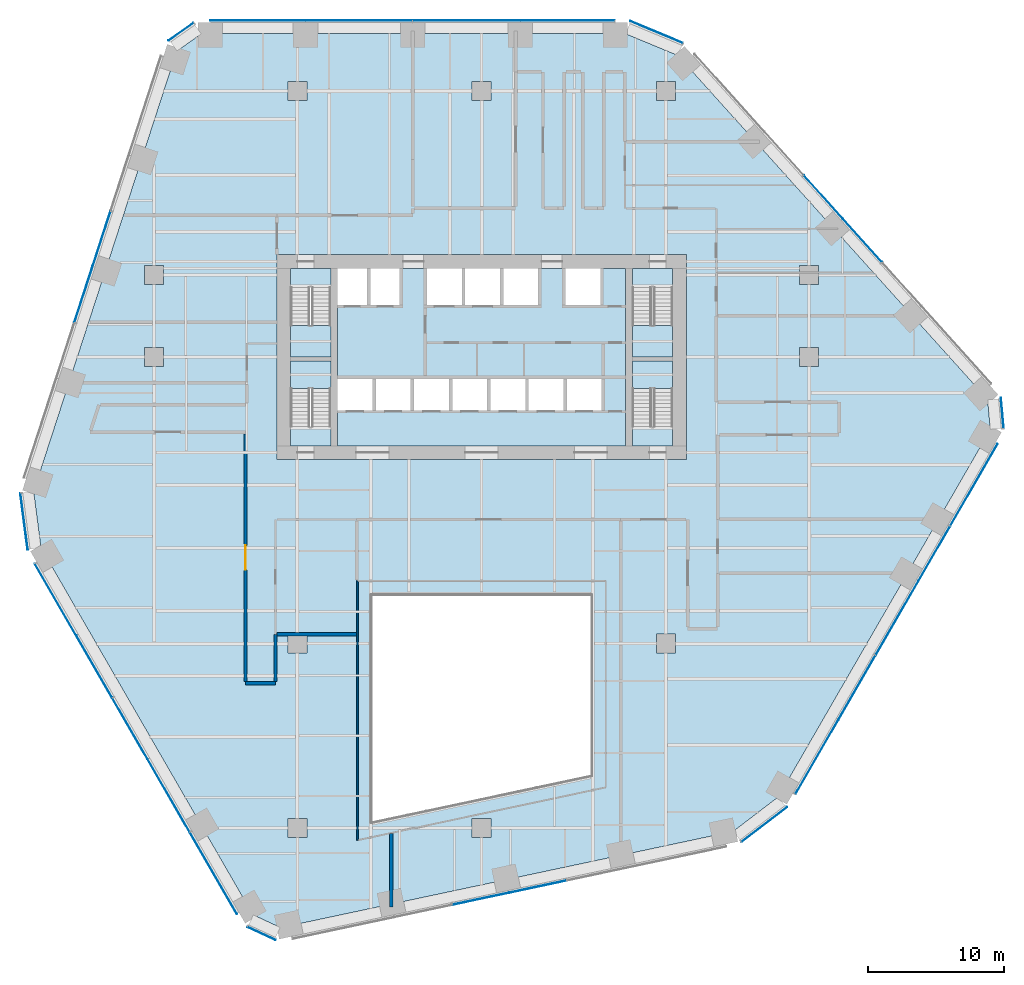
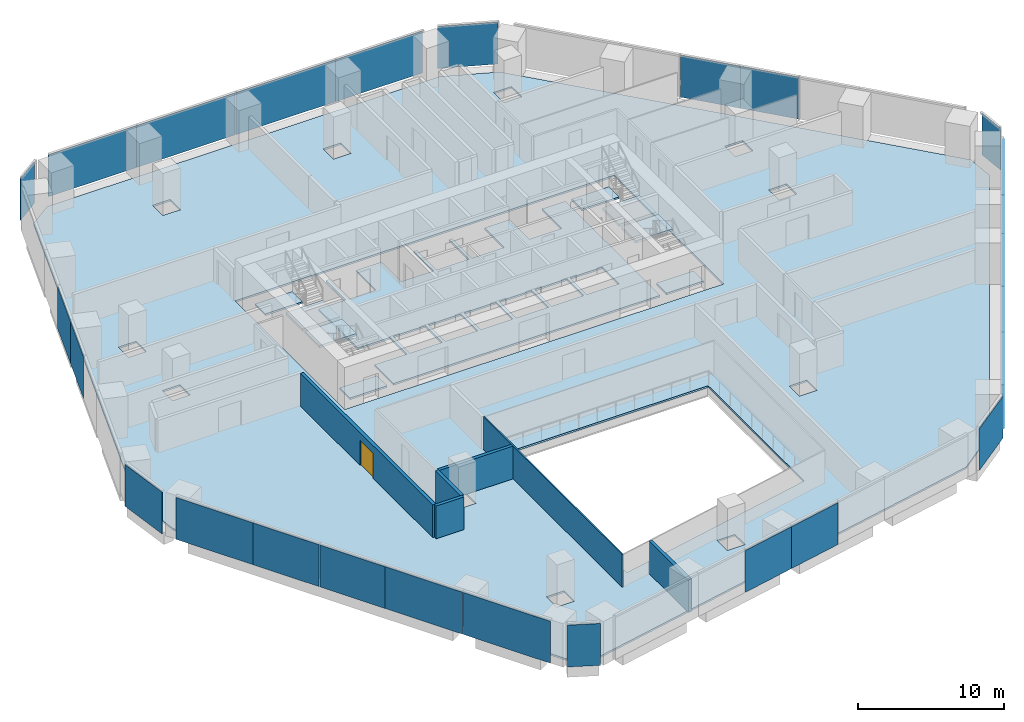
# One storey, part 13 of 21: 26 plates, 10 slabs, 6 walls, 1 door, 1 opening, 16 elements without a shape of their own.
"""IFC4 building model written with IfcOpenShell, lengths in metres."""

from ifc_helpers import new_model, si_unit, direction, frame, frame_2d, origin, origin_2d, place, context, subcontext, project, spatial, polyline, rectangle, outline, extrude, material, layer, layer_set, type_object, element, fill, aggregate, save


model = new_model("IFC4")

# Units and contexts
model_context = context("Model", 3, precision=1e-05, world=origin(), true_north=direction((0.0, 1.0)))
body_context = subcontext(model_context, "Body", "Model", "MODEL_VIEW")
ifc_project = project(units=[si_unit("LENGTHUNIT", "METRE"), si_unit("AREAUNIT", "SQUARE_METRE"), si_unit("VOLUMEUNIT", "CUBIC_METRE"), si_unit("PLANEANGLEUNIT", "RADIAN"), si_unit("MASSUNIT", "GRAM", prefix="KILO")], contexts=[model_context])

# Site, building, storey
site_placement = place(None, origin())
site = spatial("IfcSite", under=ifc_project, at=site_placement, CompositionType="ELEMENT")
building_placement = place(site_placement, origin())
building = spatial("IfcBuilding", under=site, at=building_placement, Name="Isthmus Gate Tower", CompositionType="ELEMENT")
storey_placement = place(building_placement, frame((0.0, 0.0, 50.60009765625)))
storey = spatial("IfcBuildingStorey", under=building, at=storey_placement, Name="L10", CompositionType="ELEMENT", Elevation=50.60009765625)

# Slabs
ifc_material_1 = material(Name="Concrete f'c 40 MPa", Category="concrete")
ifc_layer_1 = layer(ifc_material_1, 0.14990234375)
ifc_layer_set_1 = layer_set([ifc_layer_1], Name="COMPOSITE FLOOR SLAB 150")
slab_type_1 = type_object("IfcSlabType", Name="COMPOSITE FLOOR SLAB 150", PredefinedType="FLOOR", material=ifc_layer_set_1)
slab_1_placement = place(storey_placement, frame((0.0, 0.0, -0.150146484375)))
element("IfcSlab", 1, at=slab_1_placement, inside=storey, type_object=slab_type_1, Name="str-slab-L10-1", PredefinedType="FLOOR", context=body_context, shape_type="SweptSolid", body=[
    extrude(outline(polyline([(14.391357421875, 29.599365234375), (37.081787109375, 4.399169921875), (37.281494140625, 2.17333984375), (21.748779296875, -24.729736328125), (18.438232421875, -27.262939453125), (-14.73095703125, -34.313232421875), (-16.758544921875, -33.373291015625), (-32.291015625, -6.47021484375), (-32.82958984375, -2.33642578125), (-22.3505859375, 29.9140625), (-20.52294921875, 31.199951171875), (10.542236328125, 31.199951171875), (14.391357421875, 29.599365234375)]), holes=[polyline([(-14.199951171875, -27.699951171875), (-12.800048828125, -27.699951171875), (-12.800048828125, -26.300048828125), (-14.199951171875, -26.300048828125), (-14.199951171875, -27.699951171875)]), polyline([(-0.699951171875, -26.300048828125), (-0.699951171875, -27.699951171875), (0.699951171875, -27.699951171875), (0.699951171875, -26.300048828125), (-0.699951171875, -26.300048828125)]), polyline([(-14.199951171875, -12.800048828125), (-14.199951171875, -14.199951171875), (-12.800048828125, -14.199951171875), (-12.800048828125, -12.800048828125), (-14.199951171875, -12.800048828125)]), polyline([(-24.699951171875, 8.199951171875), (-24.699951171875, 6.800048828125), (-23.300048828125, 6.800048828125), (-23.300048828125, 8.199951171875), (-24.699951171875, 8.199951171875)]), polyline([(-23.300048828125, 14.199951171875), (-24.699951171875, 14.199951171875), (-24.699951171875, 12.800048828125), (-23.300048828125, 12.800048828125), (-23.300048828125, 14.199951171875)]), polyline([(-14.199951171875, 27.699951171875), (-14.199951171875, 26.300048828125), (-12.800048828125, 26.300048828125), (-12.800048828125, 27.699951171875), (-14.199951171875, 27.699951171875)]), polyline([(-0.699951171875, 27.699951171875), (-0.699951171875, 26.300048828125), (0.699951171875, 26.300048828125), (0.699951171875, 27.699951171875), (-0.699951171875, 27.699951171875)]), polyline([(8.0, -23.143310546875), (8.0, -10.0), (-8.0, -10.0), (-8.0, -26.544189453125), (8.0, -23.143310546875)]), polyline([(14.199951171875, -12.800048828125), (12.800048828125, -12.800048828125), (12.800048828125, -14.199951171875), (14.199951171875, -14.199951171875), (14.199951171875, -12.800048828125)]), polyline([(15.0, 15.0), (-15.0, 15.0), (-15.0, 0.0), (15.0, 0.0), (15.0, 15.0)]), polyline([(24.699951171875, 8.199951171875), (23.300048828125, 8.199951171875), (23.300048828125, 6.800048828125), (24.699951171875, 6.800048828125), (24.699951171875, 8.199951171875)]), polyline([(23.300048828125, 14.199951171875), (23.300048828125, 12.800048828125), (24.699951171875, 12.800048828125), (24.699951171875, 14.199951171875), (23.300048828125, 14.199951171875)]), polyline([(14.199951171875, 27.699951171875), (12.800048828125, 27.699951171875), (12.800048828125, 26.300048828125), (14.199951171875, 26.300048828125), (14.199951171875, 27.699951171875)])]), origin(), (0.0, 0.0, 1.0), 0.150146484375),
])
ifc_material_2 = material(Name="Concrete f'c 40 MPa", Category="concrete")
ifc_layer_2 = layer(ifc_material_2, 0.14990234375)
ifc_layer_set_2 = layer_set([ifc_layer_2], Name="CORE FLOOR SLAB 150")
slab_type_2 = type_object("IfcSlabType", Name="CORE FLOOR SLAB 150", PredefinedType="FLOOR", material=ifc_layer_set_2)
slab_2_placement = place(storey_placement, frame((0.0, 0.0, -0.150146484375)))
element("IfcSlab", 2, at=slab_2_placement, inside=storey, type_object=slab_type_2, Name="L10 core floor", PredefinedType="FLOOR", context=body_context, shape_type="SweptSolid", body=[
    extrude(outline(polyline([(-11.050048828125, 1.0), (-11.050048828125, 2.402099609375), (-14.0, 2.402099609375), (-14.0, 1.0), (-11.050048828125, 1.0)])), origin(), (0.0, 0.0, 1.0), 0.150146484375),
])
slab_3_placement = place(storey_placement, frame((0.0, 0.0, -0.150146484375)))
element("IfcSlab", 3, at=slab_3_placement, inside=storey, type_object=slab_type_2, Name="L10 core floor", PredefinedType="FLOOR", context=body_context, shape_type="SweptSolid", body=[
    extrude(outline(polyline([(-14.0, 14.0), (-14.0, 12.597900390625), (-11.050048828125, 12.597900390625), (-11.050048828125, 14.0), (-14.0, 14.0)])), origin(), (0.0, 0.0, 1.0), 0.150146484375),
])
slab_4_placement = place(storey_placement, frame((0.0, 0.0, -0.150146484375)))
element("IfcSlab", 4, at=slab_4_placement, inside=storey, type_object=slab_type_2, Name="L10 core floor", PredefinedType="FLOOR", context=body_context, shape_type="SweptSolid", body=[
    extrude(outline(polyline([(10.550048828125, 14.0), (8.699951171875, 14.0), (8.699951171875, 11.300048828125), (6.14990234375, 11.300048828125), (6.14990234375, 14.0), (4.14990234375, 14.0), (4.14990234375, 11.300048828125), (1.60009765625, 11.300048828125), (1.60009765625, 14.0), (1.35009765625, 14.0), (1.35009765625, 11.300048828125), (-1.199951171875, 11.300048828125), (-1.199951171875, 14.0), (-1.449951171875, 14.0), (-1.449951171875, 11.300048828125), (-4.0, 11.300048828125), (-4.0, 14.0), (-6.0, 14.0), (-6.0, 11.300048828125), (-8.14990234375, 11.300048828125), (-8.14990234375, 14.0), (-8.39990234375, 14.0), (-8.39990234375, 11.300048828125), (-10.550048828125, 11.300048828125), (-10.550048828125, 5.89990234375), (-8.0, 5.89990234375), (-8.0, 3.60009765625), (-10.550048828125, 3.60009765625), (-10.550048828125, 1.0), (10.550048828125, 1.0), (10.550048828125, 14.0)]), holes=[polyline([(-5.199951171875, 5.89990234375), (-5.199951171875, 3.60009765625), (-7.75, 3.60009765625), (-7.75, 5.89990234375), (-5.199951171875, 5.89990234375)]), polyline([(-2.39990234375, 5.89990234375), (-2.39990234375, 3.60009765625), (-4.949951171875, 3.60009765625), (-4.949951171875, 5.89990234375), (-2.39990234375, 5.89990234375)]), polyline([(0.39990234375, 5.89990234375), (0.39990234375, 3.60009765625), (-2.14990234375, 3.60009765625), (-2.14990234375, 5.89990234375), (0.39990234375, 5.89990234375)]), polyline([(3.199951171875, 5.89990234375), (3.199951171875, 3.60009765625), (0.64990234375, 3.60009765625), (0.64990234375, 5.89990234375), (3.199951171875, 5.89990234375)]), polyline([(6.0, 5.89990234375), (6.0, 3.60009765625), (3.449951171875, 3.60009765625), (3.449951171875, 5.89990234375), (6.0, 5.89990234375)]), polyline([(8.800048828125, 5.89990234375), (8.800048828125, 3.60009765625), (6.25, 3.60009765625), (6.25, 5.89990234375), (8.800048828125, 5.89990234375)])]), origin(), (0.0, 0.0, 1.0), 0.150146484375),
])
slab_5_placement = place(storey_placement, frame((0.0, 0.0, -0.150146484375)))
element("IfcSlab", 5, at=slab_5_placement, inside=storey, type_object=slab_type_2, Name="L10 core floor", PredefinedType="FLOOR", context=body_context, shape_type="SweptSolid", body=[
    extrude(outline(polyline([(14.0, 1.0), (14.0, 2.402099609375), (11.050048828125, 2.402099609375), (11.050048828125, 1.0), (14.0, 1.0)])), origin(), (0.0, 0.0, 1.0), 0.150146484375),
])
slab_6_placement = place(storey_placement, frame((0.0, 0.0, -0.150146484375)))
element("IfcSlab", 6, at=slab_6_placement, inside=storey, type_object=slab_type_2, Name="L10 core floor", PredefinedType="FLOOR", context=body_context, shape_type="SweptSolid", body=[
    extrude(outline(polyline([(11.050048828125, 14.0), (11.050048828125, 12.597900390625), (14.0, 12.597900390625), (14.0, 14.0), (11.050048828125, 14.0)])), origin(), (0.0, 0.0, 1.0), 0.150146484375),
])

# Curtain wall, plates
ifc_material_3 = material(Name="Aluminium, pale champagne anodised", Category="aluminium")
ifc_layer_3 = layer(ifc_material_3, 0.199951171875)
ifc_layer_set_3 = layer_set([ifc_layer_3], Name="CW-1 UNITISED CURTAIN WALL 200 DEEP")
curtain_wall_type = type_object("IfcCurtainWallType", Name="CW-1 UNITISED CURTAIN WALL 200 DEEP", PredefinedType="NOTDEFINED", material=ifc_layer_set_3)
curtain_wall_1_placement = place(storey_placement, origin())
curtain_wall_1 = element("IfcCurtainWall", 7, at=curtain_wall_1_placement, inside=storey, type_object=curtain_wall_type, Name="CW-1 N L10", PredefinedType="NOTDEFINED")
ifc_material_4 = material(Name="Laminated low-iron glass, pale blue tint", Category="glass")
ifc_layer_4 = layer(ifc_material_4, 0.0400390625)
ifc_layer_set_4 = layer_set([ifc_layer_4], Name="CW-1 CLEAR GLASS LITE 40")
plate_type = type_object("IfcPlateType", Name="CW-1 CLEAR GLASS LITE 40", PredefinedType="CURTAIN_PANEL", material=ifc_layer_set_4)
plate_1_placement = place(storey_placement, frame((6.287109375, 32.179931640625, 0.0), z_axis=(0.0, 0.0, 1.0), x_axis=(-1.0, 0.0, 0.0)))
plate_1 = element("IfcPlate", 8, at=plate_1_placement, type_object=plate_type, Name="CW-1 glass lite", PredefinedType="CURTAIN_PANEL", context=body_context, shape_type="SweptSolid", body=[
    extrude(rectangle(XDim=6.909423828125, YDim=0.0400390625, at=origin_2d()), origin(), (0.0, 0.0, 1.0), 3.5),
])
plate_2_placement = place(storey_placement, frame((-1.1025390625, 32.179931640625, 0.0), z_axis=(0.0, 0.0, 1.0), x_axis=(-1.0, 0.0, 0.0)))
plate_2 = element("IfcPlate", 9, at=plate_2_placement, type_object=plate_type, Name="CW-1 glass lite", PredefinedType="CURTAIN_PANEL", context=body_context, shape_type="SweptSolid", body=[
    extrude(rectangle(XDim=7.86962890625, YDim=0.0400390625, at=origin_2d()), origin(), (0.0, 0.0, 1.0), 3.5),
])
plate_3_placement = place(storey_placement, frame((-9.001953125, 32.179931640625, 0.0), z_axis=(0.0, 0.0, 1.0), x_axis=(-1.0, 0.0, 0.0)))
plate_3 = element("IfcPlate", 10, at=plate_3_placement, type_object=plate_type, Name="CW-1 glass lite", PredefinedType="CURTAIN_PANEL", context=body_context, shape_type="SweptSolid", body=[
    extrude(rectangle(XDim=7.8095703125, YDim=0.0400390625, at=origin_2d()), origin(), (0.0, 0.0, 1.0), 3.5),
])
plate_4_placement = place(storey_placement, frame((-16.391357421875, 32.179931640625, 0.0), z_axis=(0.0, 0.0, 1.0), x_axis=(-1.0, 0.0, 0.0)))
plate_4 = element("IfcPlate", 11, at=plate_4_placement, type_object=plate_type, Name="CW-1 glass lite", PredefinedType="CURTAIN_PANEL", context=body_context, shape_type="SweptSolid", body=[
    extrude(rectangle(XDim=6.969482421875, YDim=0.0400390625, at=origin_2d()), origin(), (0.0, 0.0, 1.0), 3.5),
])
aggregate(curtain_wall_1, [plate_1, plate_2, plate_3, plate_4])

# Curtain wall, plate
curtain_wall_2_placement = place(storey_placement, origin())
curtain_wall_2 = element("IfcCurtainWall", 12, at=curtain_wall_2_placement, inside=storey, type_object=curtain_wall_type, Name="CW-1 N-NW L10", PredefinedType="NOTDEFINED")
plate_5_placement = place(storey_placement, frame((-22.025146484375, 31.341552734375, 0.0), z_axis=(0.0, 0.0, 1.0), x_axis=(-0.81785959165, -0.57541783805, 0.0)))
plate_5 = element("IfcPlate", 13, at=plate_5_placement, type_object=plate_type, Name="CW-1 glass lite", PredefinedType="CURTAIN_PANEL", context=body_context, shape_type="SweptSolid", body=[
    extrude(rectangle(XDim=2.258544921875, YDim=0.0400390625, at=origin_2d()), origin(), (0.0, 0.0, 1.0), 3.5),
])
aggregate(curtain_wall_2, [plate_5])

# Curtain wall, plates
curtain_wall_3_placement = place(storey_placement, origin())
curtain_wall_3 = element("IfcCurtainWall", 14, at=curtain_wall_3_placement, inside=storey, type_object=curtain_wall_type, Name="CW-1 NW L10", PredefinedType="NOTDEFINED")
plate_6_placement = place(storey_placement, frame((-27.8544921875, 16.146484375, 0.0), z_axis=(0.0, 0.0, 1.0), x_axis=(-0.309016994375, -0.951056516295, 0.0)))
plate_6 = element("IfcPlate", 15, at=plate_6_placement, type_object=plate_type, Name="CW-1 glass lite", PredefinedType="CURTAIN_PANEL", context=body_context, shape_type="SweptSolid", body=[
    extrude(rectangle(XDim=4.234619140625, YDim=0.0400390625, at=origin_2d()), origin(), (0.0, 0.0, 1.0), 3.5),
])
plate_7_placement = place(storey_placement, frame((-29.17236328125, 12.09033203125, 0.0), z_axis=(0.0, 0.0, 1.0), x_axis=(-0.309016994375, -0.951056516295, 0.0)))
plate_7 = element("IfcPlate", 16, at=plate_7_placement, type_object=plate_type, Name="CW-1 glass lite", PredefinedType="CURTAIN_PANEL", context=body_context, shape_type="SweptSolid", body=[
    extrude(rectangle(XDim=4.294677734375, YDim=0.0400390625, at=origin_2d()), origin(), (0.0, 0.0, 1.0), 3.5),
])
aggregate(curtain_wall_3, [plate_6, plate_7])

# Curtain wall, plate
curtain_wall_4_placement = place(storey_placement, origin())
curtain_wall_4 = element("IfcCurtainWall", 17, at=curtain_wall_4_placement, inside=storey, type_object=curtain_wall_type, Name="CW-1 NW-SW L10", PredefinedType="NOTDEFINED")
plate_8_placement = place(storey_placement, frame((-33.5283203125, -4.558349609375, 0.0), z_axis=(0.0, 0.0, 1.0), x_axis=(0.129164534, -0.991623175988, 0.0)))
plate_8 = element("IfcPlate", 18, at=plate_8_placement, type_object=plate_type, Name="CW-1 glass lite", PredefinedType="CURTAIN_PANEL", context=body_context, shape_type="SweptSolid", body=[
    extrude(rectangle(XDim=4.181396484375, YDim=0.0400390625, at=origin_2d()), origin(), (0.0, 0.0, 1.0), 3.5),
])
aggregate(curtain_wall_4, [plate_8])

# Curtain wall, plates
curtain_wall_5_placement = place(storey_placement, origin())
curtain_wall_5 = element("IfcCurtainWall", 19, at=curtain_wall_5_placement, inside=storey, type_object=curtain_wall_type, Name="CW-1 SW L10", PredefinedType="NOTDEFINED")
plate_9_placement = place(storey_placement, frame((-31.22119140625, -10.283203125, 0.0), z_axis=(0.0, 0.0, 1.0), x_axis=(0.5, -0.866025403784, 0.0)))
plate_9 = element("IfcPlate", 20, at=plate_9_placement, type_object=plate_type, Name="CW-1 glass lite", PredefinedType="CURTAIN_PANEL", context=body_context, shape_type="SweptSolid", body=[
    extrude(rectangle(XDim=6.07373046875, YDim=0.0400390625, at=origin_2d()), origin(), (0.0, 0.0, 1.0), 3.5),
])
plate_10_placement = place(storey_placement, frame((-28.394287109375, -15.179443359375, 0.0), z_axis=(0.0, 0.0, 1.0), x_axis=(0.5, -0.866025403784, 0.0)))
plate_10 = element("IfcPlate", 21, at=plate_10_placement, type_object=plate_type, Name="CW-1 glass lite", PredefinedType="CURTAIN_PANEL", context=body_context, shape_type="SweptSolid", body=[
    extrude(rectangle(XDim=5.233642578125, YDim=0.0400390625, at=origin_2d()), origin(), (0.0, 0.0, 1.0), 3.5),
])
plate_11_placement = place(storey_placement, frame((-25.7626953125, -19.73779296875, 0.0), z_axis=(0.0, 0.0, 1.0), x_axis=(0.5, -0.866025403784, 0.0)))
plate_11 = element("IfcPlate", 22, at=plate_11_placement, type_object=plate_type, Name="CW-1 glass lite", PredefinedType="CURTAIN_PANEL", context=body_context, shape_type="SweptSolid", body=[
    extrude(rectangle(XDim=5.173583984375, YDim=0.0400390625, at=origin_2d()), origin(), (0.0, 0.0, 1.0), 3.5),
])
plate_12_placement = place(storey_placement, frame((-22.935791015625, -24.634033203125, 0.0), z_axis=(0.0, 0.0, 1.0), x_axis=(0.5, -0.866025403784, 0.0)))
plate_12 = element("IfcPlate", 23, at=plate_12_placement, type_object=plate_type, Name="CW-1 glass lite", PredefinedType="CURTAIN_PANEL", context=body_context, shape_type="SweptSolid", body=[
    extrude(rectangle(XDim=6.133544921875, YDim=0.0400390625, at=origin_2d()), origin(), (0.0, 0.0, 1.0), 3.5),
])
plate_13_placement = place(storey_placement, frame((-19.6513671875, -30.32275390625, 0.0), z_axis=(0.0, 0.0, 1.0), x_axis=(0.5, -0.866025403784, 0.0)))
plate_13 = element("IfcPlate", 24, at=plate_13_placement, type_object=plate_type, Name="CW-1 glass lite", PredefinedType="CURTAIN_PANEL", context=body_context, shape_type="SweptSolid", body=[
    extrude(rectangle(XDim=6.883544921875, YDim=0.0400390625, at=origin_2d()), origin(), (0.0, 0.0, 1.0), 3.5),
])
aggregate(curtain_wall_5, [plate_9, plate_10, plate_11, plate_12, plate_13])

# Curtain wall, plate
curtain_wall_6_placement = place(storey_placement, origin())
curtain_wall_6 = element("IfcCurtainWall", 25, at=curtain_wall_6_placement, inside=storey, type_object=curtain_wall_type, Name="CW-1 SW-S L10", PredefinedType="NOTDEFINED")
plate_14_placement = place(storey_placement, frame((-16.1298828125, -34.7451171875, 0.0), z_axis=(0.0, 0.0, 1.0), x_axis=(0.907256261367, -0.420578264073, 0.0)))
plate_14 = element("IfcPlate", 26, at=plate_14_placement, type_object=plate_type, Name="CW-1 glass lite", PredefinedType="CURTAIN_PANEL", context=body_context, shape_type="SweptSolid", body=[
    extrude(rectangle(XDim=2.258544921875, YDim=0.0400390625, at=origin_2d()), origin(), (0.0, 0.0, 1.0), 3.5),
])
aggregate(curtain_wall_6, [plate_14])

# Curtain wall, plates
curtain_wall_7_placement = place(storey_placement, origin())
curtain_wall_7 = element("IfcCurtainWall", 27, at=curtain_wall_7_placement, inside=storey, type_object=curtain_wall_type, Name="CW-1 S L10", PredefinedType="NOTDEFINED")
plate_15_placement = place(storey_placement, frame((-0.055908203125, -32.19580078125, 0.0), z_axis=(0.0, 0.0, 1.0), x_axis=(0.978147600734, 0.207911690818, 0.0)))
plate_15 = element("IfcPlate", 28, at=plate_15_placement, type_object=plate_type, Name="CW-1 glass lite", PredefinedType="CURTAIN_PANEL", context=body_context, shape_type="SweptSolid", body=[
    extrude(rectangle(XDim=4.234619140625, YDim=0.0400390625, at=origin_2d()), origin(), (0.0, 0.0, 1.0), 3.5),
])
plate_16_placement = place(storey_placement, frame((4.115478515625, -31.309326171875, 0.0), z_axis=(0.0, 0.0, 1.0), x_axis=(0.978147600734, 0.207911690818, 0.0)))
plate_16 = element("IfcPlate", 29, at=plate_16_placement, type_object=plate_type, Name="CW-1 glass lite", PredefinedType="CURTAIN_PANEL", context=body_context, shape_type="SweptSolid", body=[
    extrude(rectangle(XDim=4.294677734375, YDim=0.0400390625, at=origin_2d()), origin(), (0.0, 0.0, 1.0), 3.5),
])
aggregate(curtain_wall_7, [plate_15, plate_16])

# Curtain wall, plate
curtain_wall_8_placement = place(storey_placement, origin())
curtain_wall_8 = element("IfcCurtainWall", 30, at=curtain_wall_8_placement, inside=storey, type_object=curtain_wall_type, Name="CW-1 S-SE L10", PredefinedType="NOTDEFINED")
plate_17_placement = place(storey_placement, frame((20.711669921875, -26.75732421875, 0.0), z_axis=(0.0, 0.0, 1.0), x_axis=(0.794188594387, 0.607671355706, 0.0)))
plate_17 = element("IfcPlate", 31, at=plate_17_placement, type_object=plate_type, Name="CW-1 glass lite", PredefinedType="CURTAIN_PANEL", context=body_context, shape_type="SweptSolid", body=[
    extrude(rectangle(XDim=4.181396484375, YDim=0.0400390625, at=origin_2d()), origin(), (0.0, 0.0, 1.0), 3.5),
])
aggregate(curtain_wall_8, [plate_17])

# Curtain wall, plates
curtain_wall_9_placement = place(storey_placement, origin())
curtain_wall_9 = element("IfcCurtainWall", 32, at=curtain_wall_9_placement, inside=storey, type_object=curtain_wall_type, Name="CW-1 SE L10", PredefinedType="NOTDEFINED")
plate_18_placement = place(storey_placement, frame((24.5673828125, -21.80810546875, 0.0), z_axis=(0.0, 0.0, 1.0), x_axis=(0.5, 0.866025403784, 0.0)))
plate_18 = element("IfcPlate", 33, at=plate_18_placement, type_object=plate_type, Name="CW-1 glass lite", PredefinedType="CURTAIN_PANEL", context=body_context, shape_type="SweptSolid", body=[
    extrude(rectangle(XDim=6.278564453125, YDim=0.0400390625, at=origin_2d()), origin(), (0.0, 0.0, 1.0), 3.5),
])
plate_19_placement = place(storey_placement, frame((27.49658203125, -16.734375, 0.0), z_axis=(0.0, 0.0, 1.0), x_axis=(0.5, 0.866025403784, 0.0)))
plate_19 = element("IfcPlate", 34, at=plate_19_placement, type_object=plate_type, Name="CW-1 glass lite", PredefinedType="CURTAIN_PANEL", context=body_context, shape_type="SweptSolid", body=[
    extrude(rectangle(XDim=5.4384765625, YDim=0.0400390625, at=origin_2d()), origin(), (0.0, 0.0, 1.0), 3.5),
])
plate_20_placement = place(storey_placement, frame((30.4560546875, -11.608642578125, 0.0), z_axis=(0.0, 0.0, 1.0), x_axis=(0.5, 0.866025403784, 0.0)))
plate_20 = element("IfcPlate", 35, at=plate_20_placement, type_object=plate_type, Name="CW-1 glass lite", PredefinedType="CURTAIN_PANEL", context=body_context, shape_type="SweptSolid", body=[
    extrude(rectangle(XDim=6.278564453125, YDim=0.0400390625, at=origin_2d()), origin(), (0.0, 0.0, 1.0), 3.5),
])
plate_21_placement = place(storey_placement, frame((33.173828125, -6.901123046875, 0.0), z_axis=(0.0, 0.0, 1.0), x_axis=(0.5, 0.866025403784, 0.0)))
plate_21 = element("IfcPlate", 36, at=plate_21_placement, type_object=plate_type, Name="CW-1 glass lite", PredefinedType="CURTAIN_PANEL", context=body_context, shape_type="SweptSolid", body=[
    extrude(rectangle(XDim=4.5927734375, YDim=0.0400390625, at=origin_2d()), origin(), (0.0, 0.0, 1.0), 3.5),
])
plate_22_placement = place(storey_placement, frame((36.079345703125, -1.86865234375, 0.0), z_axis=(0.0, 0.0, 1.0), x_axis=(0.5, 0.866025403784, 0.0)))
plate_22 = element("IfcPlate", 37, at=plate_22_placement, type_object=plate_type, Name="CW-1 glass lite", PredefinedType="CURTAIN_PANEL", context=body_context, shape_type="SweptSolid", body=[
    extrude(rectangle(XDim=6.909423828125, YDim=0.0400390625, at=origin_2d()), origin(), (0.0, 0.0, 1.0), 3.5),
])
aggregate(curtain_wall_9, [plate_18, plate_19, plate_20, plate_21, plate_22])

# Curtain wall, plate
curtain_wall_10_placement = place(storey_placement, origin())
curtain_wall_10 = element("IfcCurtainWall", 38, at=curtain_wall_10_placement, inside=storey, type_object=curtain_wall_type, Name="CW-1 SE-NE L10", PredefinedType="NOTDEFINED")
plate_23_placement = place(storey_placement, frame((38.155029296875, 3.403564453125, 0.0), z_axis=(0.0, 0.0, 1.0), x_axis=(-0.089396669717, 0.995996102123, 0.0)))
plate_23 = element("IfcPlate", 39, at=plate_23_placement, type_object=plate_type, Name="CW-1 glass lite", PredefinedType="CURTAIN_PANEL", context=body_context, shape_type="SweptSolid", body=[
    extrude(rectangle(XDim=2.258544921875, YDim=0.0400390625, at=origin_2d()), origin(), (0.0, 0.0, 1.0), 3.5),
])
aggregate(curtain_wall_10, [plate_23])

# Curtain wall, plates
curtain_wall_11_placement = place(storey_placement, origin())
curtain_wall_11 = element("IfcCurtainWall", 40, at=curtain_wall_11_placement, inside=storey, type_object=curtain_wall_type, Name="CW-1 NE L10", PredefinedType="NOTDEFINED")
plate_24_placement = place(storey_placement, frame((27.910400390625, 16.049560546875, 0.0), z_axis=(0.0, 0.0, 1.0), x_axis=(-0.669130606359, 0.743144825477, 0.0)))
plate_24 = element("IfcPlate", 41, at=plate_24_placement, type_object=plate_type, Name="CW-1 glass lite", PredefinedType="CURTAIN_PANEL", context=body_context, shape_type="SweptSolid", body=[
    extrude(rectangle(XDim=4.234619140625, YDim=0.0400390625, at=origin_2d()), origin(), (0.0, 0.0, 1.0), 3.5),
])
plate_25_placement = place(storey_placement, frame((25.056884765625, 19.21875, 0.0), z_axis=(0.0, 0.0, 1.0), x_axis=(-0.669130606359, 0.743144825477, 0.0)))
plate_25 = element("IfcPlate", 42, at=plate_25_placement, type_object=plate_type, Name="CW-1 glass lite", PredefinedType="CURTAIN_PANEL", context=body_context, shape_type="SweptSolid", body=[
    extrude(rectangle(XDim=4.294677734375, YDim=0.0400390625, at=origin_2d()), origin(), (0.0, 0.0, 1.0), 3.5),
])
aggregate(curtain_wall_11, [plate_24, plate_25])

# Curtain wall, plate
curtain_wall_12_placement = place(storey_placement, origin())
curtain_wall_12 = element("IfcCurtainWall", 43, at=curtain_wall_12_placement, inside=storey, type_object=curtain_wall_type, Name="CW-1 NE-N L10", PredefinedType="NOTDEFINED")
plate_26_placement = place(storey_placement, frame((12.816650390625, 31.315673828125, 0.0), z_axis=(0.0, 0.0, 1.0), x_axis=(-0.923353128387, 0.383951820282, 0.0)))
plate_26 = element("IfcPlate", 44, at=plate_26_placement, type_object=plate_type, Name="CW-1 glass lite", PredefinedType="CURTAIN_PANEL", context=body_context, shape_type="SweptSolid", body=[
    extrude(rectangle(XDim=4.181396484375, YDim=0.0400390625, at=origin_2d()), origin(), (0.0, 0.0, 1.0), 3.5),
])
aggregate(curtain_wall_12, [plate_26])

# Stair, slab
ifc_material_5 = material(Name="Concrete f'c 40 MPa", Category="concrete")
stair_type = type_object("IfcStairType", Name="CORE STAIR 22 RISERS", PredefinedType="HALF_TURN_STAIR", material=ifc_material_5)
stair_1_placement = place(storey_placement, origin())
stair_1 = element("IfcStair", 45, at=stair_1_placement, inside=storey, type_object=stair_type, Name="L10 Exit Stair 1", PredefinedType="HALF_TURN_STAIR")
ifc_material_6 = material(Name="Concrete f'c 40 MPa", Category="concrete")
ifc_layer_5 = layer(ifc_material_6, 0.199951171875)
ifc_layer_set_5 = layer_set([ifc_layer_5])
slab_type_3 = type_object("IfcSlabType", Name="STAIR LANDING RC 200", PredefinedType="LANDING", material=ifc_layer_set_5)
slab_7_placement = place(storey_placement, frame((0.0, 0.0, 1.625)))
slab_7 = element("IfcSlab", 46, at=slab_7_placement, type_object=slab_type_3, Name="ST1 landing 1", PredefinedType="LANDING", context=body_context, shape_type="SweptSolid", body=[
    extrude(outline(polyline([(-14.0, 9.800048828125), (-14.0, 7.5), (-11.050048828125, 7.5), (-11.050048828125, 9.800048828125), (-14.0, 9.800048828125)])), origin(), (0.0, 0.0, 1.0), 0.199951171875),
])
aggregate(stair_1, [slab_7])

stair_2_placement = place(storey_placement, origin())
stair_2 = element("IfcStair", 47, at=stair_2_placement, inside=storey, type_object=stair_type, Name="L10 Exit Stair 2", PredefinedType="HALF_TURN_STAIR")
slab_8_placement = place(storey_placement, frame((0.0, 0.0, 1.625)))
slab_8 = element("IfcSlab", 48, at=slab_8_placement, type_object=slab_type_3, Name="ST2 landing 1", PredefinedType="LANDING", context=body_context, shape_type="SweptSolid", body=[
    extrude(outline(polyline([(11.050048828125, 9.800048828125), (11.050048828125, 7.5), (14.0, 7.5), (14.0, 9.800048828125), (11.050048828125, 9.800048828125)])), origin(), (0.0, 0.0, 1.0), 0.199951171875),
])
aggregate(stair_2, [slab_8])

stair_3_placement = place(storey_placement, origin())
stair_3 = element("IfcStair", 49, at=stair_3_placement, inside=storey, type_object=stair_type, Name="L10 Exit Stair 7", PredefinedType="HALF_TURN_STAIR")
slab_9_placement = place(storey_placement, frame((0.0, 0.0, 1.625)))
slab_9 = element("IfcSlab", 50, at=slab_9_placement, type_object=slab_type_3, Name="ST7 landing 1", PredefinedType="LANDING", context=body_context, shape_type="SweptSolid", body=[
    extrude(outline(polyline([(-11.050048828125, 5.199951171875), (-11.050048828125, 7.199951171875), (-14.0, 7.199951171875), (-14.0, 5.199951171875), (-11.050048828125, 5.199951171875)])), origin(), (0.0, 0.0, 1.0), 0.199951171875),
])
aggregate(stair_3, [slab_9])

stair_4_placement = place(storey_placement, origin())
stair_4 = element("IfcStair", 51, at=stair_4_placement, inside=storey, type_object=stair_type, Name="L10 Exit Stair 8", PredefinedType="HALF_TURN_STAIR")
slab_10_placement = place(storey_placement, frame((0.0, 0.0, 1.625)))
slab_10 = element("IfcSlab", 52, at=slab_10_placement, type_object=slab_type_3, Name="ST8 landing 1", PredefinedType="LANDING", context=body_context, shape_type="SweptSolid", body=[
    extrude(outline(polyline([(14.0, 5.199951171875), (14.0, 7.199951171875), (11.050048828125, 7.199951171875), (11.050048828125, 5.199951171875), (14.0, 5.199951171875)])), origin(), (0.0, 0.0, 1.0), 0.199951171875),
])
aggregate(stair_4, [slab_10])

# Walls
ifc_material_7 = material(Name="Double-leaf acoustic stud wall, fire-rated", Category="gypsum")
ifc_layer_6 = layer(ifc_material_7, 0.25)
ifc_layer_set_6 = layer_set([ifc_layer_6], Name="ACOUSTIC WALL 250 60 MIN")
wall_type_1 = type_object("IfcWallType", Name="ACOUSTIC WALL 250 60 MIN", PredefinedType="PARTITIONING", material=ifc_layer_set_6)
wall_1_placement = place(storey_placement, frame((-15.10009765625, -16.39990234375, 0.0), z_axis=(0.0, 0.0, 1.0), x_axis=(-1.0, 0.0, 0.0)))
element("IfcWall", 53, at=wall_1_placement, inside=storey, type_object=wall_type_1, Name="L10 Acoustic Wall 250 60 Min", PredefinedType="PARTITIONING", context=body_context, shape_type="SweptSolid", body=[
    extrude(rectangle(XDim=2.199951171875, YDim=0.25, at=frame_2d((1.10009765625, 0.0))), origin(), (0.0, 0.0, 1.0), 2.7412109375),
])
wall_2_placement = place(storey_placement, frame((-15.10009765625, -12.825927734375, 0.0), z_axis=(0.0, 0.0, 1.0), x_axis=(0.0, -1.0, 0.0)))
element("IfcWall", 54, at=wall_2_placement, inside=storey, type_object=wall_type_1, Name="L10 Acoustic Wall 250 60 Min", PredefinedType="PARTITIONING", context=body_context, shape_type="SweptSolid", body=[
    extrude(rectangle(XDim=3.448974609375, YDim=0.25, at=frame_2d((1.724609375, 0.0))), origin(), (0.0, 0.0, 1.0), 2.7412109375),
])
wall_3_placement = place(storey_placement, frame((-14.97509765625, -12.825927734375, 0.0), z_axis=(0.0, 0.0, 1.0), x_axis=(1.0, 0.0, 0.0)))
element("IfcWall", 55, at=wall_3_placement, inside=storey, type_object=wall_type_1, Name="L10 Acoustic Wall 250 60 Min", PredefinedType="PARTITIONING", context=body_context, shape_type="SweptSolid", body=[
    extrude(rectangle(XDim=5.8251953125, YDim=0.25, at=frame_2d((2.91259765625, 0.0))), origin(), (0.0, 0.0, 1.0), 2.7412109375),
])

# Wall, opening, door
wall_4_placement = place(storey_placement, frame((-17.300048828125, -16.27490234375, 0.0), z_axis=(0.0, 0.0, 1.0), x_axis=(0.0, 1.0, 0.0)))
wall_4 = element("IfcWall", 56, at=wall_4_placement, inside=storey, type_object=wall_type_1, Name="L10 Acoustic Wall 250 60 Min", PredefinedType="PARTITIONING", context=body_context, shape_type="SweptSolid", body=[
    extrude(rectangle(XDim=18.14990234375, YDim=0.25, at=frame_2d((9.074951171875, 0.0))), origin(), (0.0, 0.0, 1.0), 2.7412109375),
])
opening_placement = place(wall_4_placement, frame((8.175048828125, 0.0, 0.0)))
opening = element("IfcOpeningElement", 57, at=opening_placement, cuts=wall_4, Name="Opening DT-T1B-14", PredefinedType="OPENING", context=body_context, shape_type="SweptSolid", body=[
    extrude(rectangle(XDim=1.800048828125, YDim=2.10009765625, at=frame_2d((0.89990234375, 1.050048828125))), frame((0.0, 0.135009765625, 0.0), z_axis=(0.0, -1.0, 0.0), x_axis=(1.0, 0.0, 0.0)), (0.0, 0.0, 1.0), 0.27001953125),
])
ifc_material_8 = material(Name="Solid core timber door leaf, fire-rated", Category="wood")
door_type = type_object("IfcDoorType", Name="FIRE DOOR ACOUSTIC ROOM 1800 X 2100 60 MIN", OperationType="DOUBLE_DOOR_DOUBLE_SWING", PredefinedType="DOOR", material=ifc_material_8)
door_placement = place(opening_placement, origin())
door = element("IfcDoor", 58, at=door_placement, inside=storey, type_object=door_type, Name="L10 room door", OperationType="DOUBLE_DOOR_DOUBLE_SWING", OverallHeight=2.10009765625, OverallWidth=1.800048828125, PredefinedType="DOOR", context=body_context, shape_type="SweptSolid", body=[
    extrude(rectangle(XDim=1.800048828125, YDim=2.10009765625, at=frame_2d((0.89990234375, 1.050048828125))), frame((0.0, 0.02490234375, 0.0), z_axis=(0.0, -1.0, 0.0), x_axis=(1.0, 0.0, 0.0)), (0.0, 0.0, 1.0), 0.050048828125),
])
fill(opening, door)

# Walls
wall_5_placement = place(storey_placement, frame((-6.611083984375, -32.7919921875, 0.0), z_axis=(0.0, 0.0, 1.0), x_axis=(0.0, 1.0, 0.0)))
element("IfcWall", 59, at=wall_5_placement, inside=storey, type_object=wall_type_1, Name="L10 Acoustic Wall 250 60 Min", PredefinedType="PARTITIONING", context=body_context, shape_type="SweptSolid", body=[
    extrude(rectangle(XDim=5.366943359375, YDim=0.25, at=frame_2d((2.68359375, 0.0))), origin(), (0.0, 0.0, 1.0), 2.7412109375),
])
ifc_material_9 = material(Name="Fire-rated laminated glass in steel frame", Category="steel")
ifc_layer_7 = layer(ifc_material_9, 0.10009765625)
ifc_layer_set_7 = layer_set([ifc_layer_7], Name="ATRIUM SCREEN GLAZED WALL 100 120 MIN")
wall_type_2 = type_object("IfcWallType", Name="ATRIUM SCREEN GLAZED WALL 100 120 MIN", PredefinedType="PARTITIONING", material=ifc_layer_set_7)
wall_6_placement = place(storey_placement, frame((-9.10009765625, -27.902587890625, 0.0), z_axis=(0.0, 0.0, 1.0), x_axis=(0.0, 1.0, 0.0)))
element("IfcWall", 60, at=wall_6_placement, inside=storey, type_object=wall_type_2, Name="L10 atrium screen", PredefinedType="PARTITIONING", context=body_context, shape_type="SweptSolid", body=[
    extrude(rectangle(XDim=19.002685546875, YDim=0.10009765625, at=frame_2d((9.50146484375, 0.0))), origin(), (0.0, 0.0, 1.0), 2.7412109375),
])

save(model, "model.ifc")
